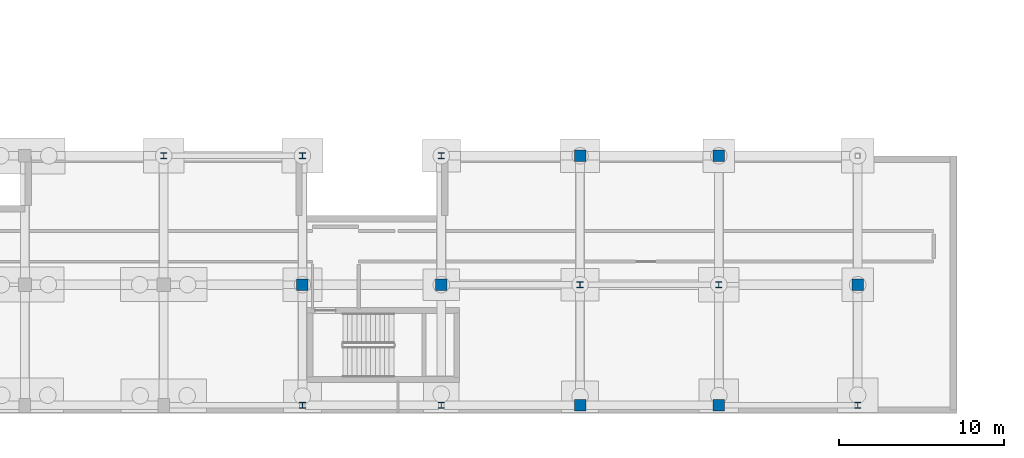
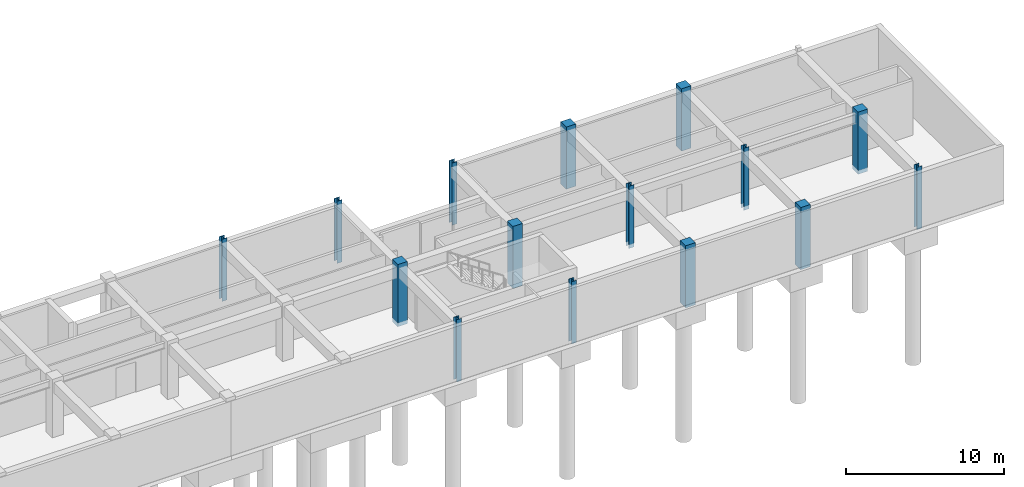
# One storey, part 10 of 42: 15 columns.
"""IFC4 building model written with IfcOpenShell, lengths in metres."""

from ifc_helpers import new_model, si_unit, direction, frame, origin, origin_2d, place, context, subcontext, project, spatial, rectangle, i_section, extrude, material, material_profile, profile_set, type_object, element, save


model = new_model("IFC4")

# Units and contexts
model_context = context("Model", 3, precision=1e-05, world=origin(), true_north=direction((0.0, 1.0)))
body_context = subcontext(model_context, "Body", "Model", "MODEL_VIEW")
ifc_project = project(units=[si_unit("LENGTHUNIT", "METRE"), si_unit("AREAUNIT", "SQUARE_METRE"), si_unit("VOLUMEUNIT", "CUBIC_METRE"), si_unit("PLANEANGLEUNIT", "RADIAN"), si_unit("MASSUNIT", "GRAM", prefix="KILO")], contexts=[model_context])

# Site, building, storey
site_placement = place(None, origin())
site = spatial("IfcSite", under=ifc_project, at=site_placement, CompositionType="ELEMENT")
building_placement = place(site_placement, origin())
building = spatial("IfcBuilding", under=site, at=building_placement, Name="Quendrovan Civic Courthouse", CompositionType="ELEMENT")
storey_placement = place(building_placement, frame((0.0, 0.0, -4.5)))
storey = spatial("IfcBuildingStorey", under=building, at=storey_placement, Name="B1", CompositionType="ELEMENT", Elevation=-4.5)

# Columns
ifc_material_1 = material(Name="Concrete C45/55", Category="concrete")
ifc_material_profile_1 = material_profile(ifc_material_1, rectangle(XDim=0.699951171875, YDim=0.699951171875, at=origin_2d()), Name="RC-COL-700x700")
ifc_profile_set_1 = profile_set([ifc_material_profile_1], Name="Concrete C45/55")
column_type_1 = type_object("IfcColumnType", Name="COL-RC700", PredefinedType="COLUMN", material=ifc_profile_set_1)
for number, where, z_axis, x_axis, name in (
    (1, (75.60009765625, 7.800048828125, -0.300048828125), (0.0, 0.0, 1.0), (1.0, 0.0, 0.0), "B1 Column 10-B"),
    (2, (84.0, 7.800048828125, -0.300048828125), (0.0, 0.0, 1.0), (1.0, 0.0, 0.0), "B1 Column 11-B"),
    (3, (92.39990234375, 0.5, -0.300048828125), (0.0, 0.0, 1.0), (1.0, 0.0, 0.0), "B1 Column 12-A"),
    (4, (92.39990234375, 15.60009765625, -0.300048828125), (0.0, 0.0, 1.0), (1.0, 0.0, 0.0), "B1 Column 12-C"),
    (5, (100.800048828125, 0.5, -0.300048828125), (0.0, 0.0, 1.0), (1.0, 0.0, 0.0), "B1 Column 13-A"),
    (6, (100.800048828125, 15.60009765625, -0.300048828125), (0.0, 0.0, 1.0), (1.0, 0.0, 0.0), "B1 Column 13-C"),
    (7, (109.199951171875, 7.800048828125, -0.300048828125), (0.0, 0.0, 1.0), (1.0, 0.0, 0.0), "B1 Column 14-B"),
):
    element("IfcColumn", number, at=place(storey_placement, frame(where, z_axis=z_axis, x_axis=x_axis)), inside=storey, type_object=column_type_1, Name=name, PredefinedType="COLUMN", context=body_context, shape_type="SweptSolid", body=[
        extrude(rectangle(XDim=0.699951171875, YDim=0.699951171875, at=origin_2d()), origin(), (0.0, 0.0, 1.0), 4.800048828125),
    ])
ifc_material_2 = material(Name="Steel ASTM A992 Grade 50", Category="steel")
ifc_material_profile_2 = material_profile(ifc_material_2, i_section(OverallWidth=0.3740234375, OverallDepth=0.3720703125, WebThickness=0.016357421875, FlangeThickness=0.026123046875, at=origin_2d()), Name="W14X132")
ifc_profile_set_2 = profile_set([ifc_material_profile_2], Name="Steel ASTM A992 Grade 50")
column_type_2 = type_object("IfcColumnType", Name="COL-STL-W14X132", PredefinedType="COLUMN", material=ifc_profile_set_2)
for number, where, z_axis, x_axis, name in (
    (8, (67.199951171875, 15.60009765625, -0.300048828125), (0.0, 0.0, 1.0), (1.0, 0.0, 0.0), "B1 Column 9-C"),
    (9, (75.60009765625, 0.5, -0.300048828125), (0.0, 0.0, 1.0), (1.0, 0.0, 0.0), "B1 Column 10-A"),
    (10, (75.60009765625, 15.60009765625, -0.300048828125), (0.0, 0.0, 1.0), (1.0, 0.0, 0.0), "B1 Column 10-C"),
    (11, (84.0, 0.5, -0.300048828125), (0.0, 0.0, 1.0), (1.0, 0.0, 0.0), "B1 Column 11-A"),
    (12, (84.0, 15.60009765625, -0.300048828125), (0.0, 0.0, 1.0), (1.0, 0.0, 0.0), "B1 Column 11-C"),
    (13, (92.39990234375, 7.800048828125, -0.300048828125), (0.0, 0.0, 1.0), (1.0, 0.0, 0.0), "B1 Column 12-B"),
    (14, (100.800048828125, 7.800048828125, -0.300048828125), (0.0, 0.0, 1.0), (1.0, 0.0, 0.0), "B1 Column 13-B"),
    (15, (109.199951171875, 0.5, -0.300048828125), (0.0, 0.0, 1.0), (1.0, 0.0, 0.0), "B1 Column 14-A"),
):
    element("IfcColumn", number, at=place(storey_placement, frame(where, z_axis=z_axis, x_axis=x_axis)), inside=storey, type_object=column_type_2, Name=name, PredefinedType="COLUMN", context=body_context, shape_type="SweptSolid", body=[
        extrude(i_section(OverallWidth=0.3740234375, OverallDepth=0.3720703125, WebThickness=0.016357421875, FlangeThickness=0.026123046875, at=origin_2d()), origin(), (0.0, 0.0, 1.0), 4.800048828125),
    ])

save(model, "model.ifc")
